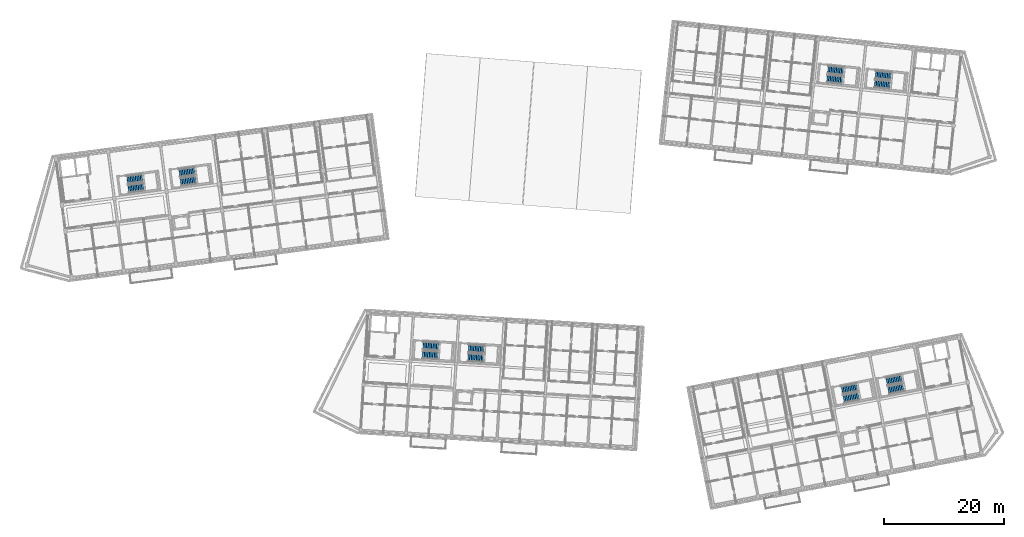
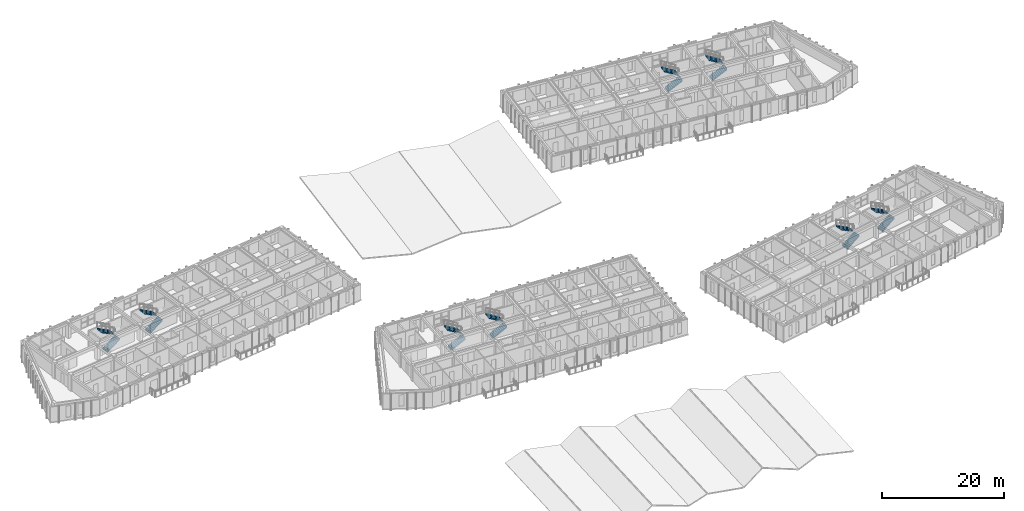
# One storey, part 37 of 74: 16 stair flights, 8 elements without a shape of their own.
"""IFC4 building model written with IfcOpenShell, lengths in metres."""

import ifcopenshell
import ifcopenshell.guid

model = None  # the IFC model being written
_history = None  # IfcOwnerHistory: only IFC2X3 demands one
_inside = {}  # id of a spatial element -> (the spatial element, [elements in it])
_under = {}  # id of a project, library or spatial element -> (it, [spatial elements below it])
_declared = {}  # id of a project -> (the project, [libraries it declares])
_typed = {}  # id of a type object -> (the type object, [elements of that type])
_made_of = {}  # id of a material, layer set ... -> (it, [elements and type objects made of it])


def new_model(schema):
    """Start an empty IFC model of exactly this schema.

    Asked for "IFC4X3", IfcOpenShell would pick the latest addendum, in which some entities
    have other attributes; the version numbers below select the first issue.
    IFC2X3 requires an IfcOwnerHistory on every rooted entity: one is made here for all.
    """
    global model, _history
    if schema == "IFC4X3":
        model = ifcopenshell.file(schema_version=(4, 3, 0, 0))
    else:
        model = ifcopenshell.file(schema=schema)
    _inside.clear()
    _under.clear()
    _declared.clear()
    _typed.clear()
    _made_of.clear()
    _history = None
    if model.schema == "IFC2X3":
        org = make("IfcOrganization", Name="unknown")
        user = make(
            "IfcPersonAndOrganization",
            ThePerson=make("IfcPerson", FamilyName="unknown"),
            TheOrganization=org,
        )
        app = make(
            "IfcApplication",
            ApplicationDeveloper=org,
            Version="unknown",
            ApplicationFullName="unknown",
            ApplicationIdentifier="unknown",
        )
        _history = make(
            "IfcOwnerHistory",
            OwningUser=user,
            OwningApplication=app,
            ChangeAction="ADDED",
            CreationDate=0,
        )
    return model


def make(cls, **values):
    """One entity of the class cls with the attributes given. An attribute that is None is left unset."""
    return model.create_entity(
        cls, **{name: value for name, value in values.items() if value is not None}
    )


def rooted(cls, **values):
    """An entity with a GlobalId (a new one), such as an element, a storey or a relation."""
    return make(cls, GlobalId=ifcopenshell.guid.new(), OwnerHistory=_history, **values)


def si_unit(unit_type, name, prefix=None):
    """IfcSIUnit, for example si_unit("LENGTHUNIT", "METRE", prefix="MILLI")."""
    return make("IfcSIUnit", UnitType=unit_type, Prefix=prefix, Name=name)


def assignment(units):
    """IfcUnitAssignment: the units of a project."""
    return None if units is None else make("IfcUnitAssignment", Units=units)


def point(xyz):
    """IfcCartesianPoint."""
    return None if xyz is None else make("IfcCartesianPoint", Coordinates=xyz)


def direction(xyz):
    """IfcDirection."""
    return None if xyz is None else make("IfcDirection", DirectionRatios=xyz)


def frame(location, z_axis=None, x_axis=None):
    """IfcAxis2Placement3D, a coordinate frame: its origin and axes. An axis left out is left unset."""
    return make(
        "IfcAxis2Placement3D",
        Location=point(location),
        Axis=direction(z_axis),
        RefDirection=direction(x_axis),
    )


def origin():
    """The frame at (0, 0, 0) with its axes left unset."""
    return frame((0.0, 0.0, 0.0))


def place(relative_to, where):
    """IfcLocalPlacement: puts the frame where relative to a parent placement (None: the world)."""
    return make(
        "IfcLocalPlacement", PlacementRelTo=relative_to, RelativePlacement=where
    )


def context(
    kind, dimensions, precision=None, world=None, true_north=None, identifier=None
):
    """IfcGeometricRepresentationContext, for example the 3D "Model" context."""
    return make(
        "IfcGeometricRepresentationContext",
        ContextIdentifier=identifier,
        ContextType=kind,
        CoordinateSpaceDimension=dimensions,
        Precision=precision,
        WorldCoordinateSystem=world,
        TrueNorth=true_north,
    )


def subcontext(parent, identifier, kind, view, scale=None):
    """IfcGeometricRepresentationSubContext, for example "Body" below "Model"."""
    return make(
        "IfcGeometricRepresentationSubContext",
        ContextIdentifier=identifier,
        ContextType=kind,
        ParentContext=parent,
        TargetScale=scale,
        TargetView=view,
    )


def project(units=None, contexts=None):
    """IfcProject with its units and contexts."""
    return rooted(
        "IfcProject",
        Name="project",
        RepresentationContexts=contexts,
        UnitsInContext=assignment(units),
    )


def spatial(cls, under=None, at=None, **own):
    """A site, building, storey or space (cls), placed at a placement, below another one or the project."""
    s = rooted(cls, ObjectPlacement=at, **own)
    if under is not None:
        _under.setdefault(under.id(), (under, []))[1].append(s)
    return s


def polyline(points):
    """IfcPolyline through the points."""
    return make("IfcPolyline", Points=[point(p) for p in points])


def outline(outer, holes=None, kind="AREA"):
    """IfcArbitraryClosedProfileDef: a profile drawn as a closed curve; with holes, ...WithVoids."""
    if holes is None:
        return make("IfcArbitraryClosedProfileDef", ProfileType=kind, OuterCurve=outer)
    return make(
        "IfcArbitraryProfileDefWithVoids",
        ProfileType=kind,
        OuterCurve=outer,
        InnerCurves=holes,
    )


def extrude(swept, where, along, depth):
    """IfcExtrudedAreaSolid: the profile swept, set in the frame where, extruded along a direction by depth."""
    return make(
        "IfcExtrudedAreaSolid",
        SweptArea=swept,
        Position=where,
        ExtrudedDirection=direction(along),
        Depth=depth,
    )


def shape(context_of_items, identifier, shape_type, items):
    """IfcShapeRepresentation: the items that make up one representation, for example the "Body"."""
    return make(
        "IfcShapeRepresentation",
        ContextOfItems=context_of_items,
        RepresentationIdentifier=identifier,
        RepresentationType=shape_type,
        Items=items,
    )


def material(Name=None, Category=None):
    """IfcMaterial."""
    return make("IfcMaterial", Name=Name, Category=Category)


def made_of(thing, what):
    """Note that an element or type object is made of a material, layer set ...; save() writes the relation."""
    if what is not None:
        _made_of.setdefault(what.id(), (what, []))[1].append(thing)
    return thing


def type_object(cls, material=None, **own):
    """A type object (cls), such as IfcWallType, which elements share."""
    return made_of(rooted(cls, **own), material)


def element(
    cls,
    number,
    at=None,
    inside=None,
    cuts=None,
    type_object=None,
    material=None,
    context=None,
    identifier="Body",
    shape_type=None,
    held_by="IfcProductDefinitionShape",
    body=None,
    shapes=None,
    **own,
):
    """One element of the class cls, such as IfcWall. Its Tag is "e" and its number.

    at: its placement. inside: the storey or other place that contains it. cuts: it is an
    opening in that element (IfcRelVoidsElement). A single representation is given by context,
    identifier, shape_type and body (its items); several are given by shapes. held_by: the class
    of the entity that holds the representations. save() writes the other relations.
    """
    e = rooted(cls, Tag="e%d" % number, ObjectPlacement=at, **own)
    if body is not None:
        shapes = [shape(context, identifier, shape_type, body)]
    if shapes is not None:
        e.Representation = make(held_by, Representations=shapes)
    if inside is not None:
        _inside.setdefault(inside.id(), (inside, []))[1].append(e)
    if cuts is not None:
        rooted(
            "IfcRelVoidsElement", RelatingBuildingElement=cuts, RelatedOpeningElement=e
        )
    if type_object is not None:
        _typed.setdefault(type_object.id(), (type_object, []))[1].append(e)
    return made_of(e, material)


def aggregate(whole, parts):
    """IfcRelAggregates: a whole, such as a stair, and the parts it consists of."""
    return rooted("IfcRelAggregates", RelatingObject=whole, RelatedObjects=parts)


def save(model, path):
    """Write the relations noted so far, then the file.

    IfcRelAggregates (storeys below a building ...), IfcRelContainedInSpatialStructure (elements
    in a storey), IfcRelDefinesByType, IfcRelAssociatesMaterial and IfcRelDeclares: one each for
    every whole, place, type object, material and project.
    """
    for whole, parts in _under.values():
        aggregate(whole, parts)
    for where, things in _inside.values():
        rooted(
            "IfcRelContainedInSpatialStructure",
            RelatedElements=things,
            RelatingStructure=where,
        )
    for kind, things in _typed.values():
        rooted("IfcRelDefinesByType", RelatedObjects=things, RelatingType=kind)
    for what, things in _made_of.values():
        rooted("IfcRelAssociatesMaterial", RelatedObjects=things, RelatingMaterial=what)
    for by, libraries in _declared.values():
        rooted("IfcRelDeclares", RelatingContext=by, RelatedDefinitions=libraries)
    model.write(path)


model = new_model("IFC4")

# Units and contexts
model_context = context("Model", 3, precision=1e-05, world=origin(), true_north=direction((0.0, 1.0)))
body_context = subcontext(model_context, "Body", "Model", "MODEL_VIEW")
ifc_project = project(units=[si_unit("LENGTHUNIT", "METRE"), si_unit("AREAUNIT", "SQUARE_METRE"), si_unit("VOLUMEUNIT", "CUBIC_METRE"), si_unit("PLANEANGLEUNIT", "RADIAN"), si_unit("MASSUNIT", "GRAM", prefix="KILO")], contexts=[model_context])

# Site, building, storey
site_placement = place(None, origin())
site = spatial("IfcSite", under=ifc_project, at=site_placement, CompositionType="ELEMENT")
building_placement = place(site_placement, origin())
building = spatial("IfcBuilding", under=site, at=building_placement, Name="Kestramere Prow Commons", CompositionType="ELEMENT")
storey_placement = place(building_placement, frame((0.0, 0.0, 11.64990234375)))
storey = spatial("IfcBuildingStorey", under=building, at=storey_placement, Name="L03", CompositionType="ELEMENT", Elevation=11.64990234375)

# Stair, stair flights
ifc_material = material(Name="Concrete C40/50", Category="concrete")
stair_type = type_object("IfcStairType", Name="ST-DOG-1350", PredefinedType="HALF_TURN_STAIR", material=ifc_material)
stair_1_placement = place(storey_placement, origin())
stair_1 = element("IfcStair", 1, at=stair_1_placement, inside=storey, type_object=stair_type, Name="L03 Block A Exit Stair 1", PredefinedType="HALF_TURN_STAIR")
stair_flight_type = type_object("IfcStairFlightType", Name="SFL-1350", PredefinedType="STRAIGHT", material=ifc_material)
stair_flight_1_placement = place(storey_placement, frame((20.70068359375, 86.79150390625, 0.0), z_axis=(0.0, 0.0, 1.0), x_axis=(0.991444861374, 0.13052619222, 0.0)))
stair_flight_1 = element("IfcStairFlight", 2, at=stair_flight_1_placement, type_object=stair_flight_type, Name="ST-A1 flight 1", NumberOfRisers=10, NumberOfTreads=9, PredefinedType="STRAIGHT", RiserHeight=0.1625, TreadLength=0.28, context=body_context, shape_type="SweptSolid", body=[
    extrude(outline(polyline([(-0.02490234375, 0.0), (0.0, 0.0), (0.0, 0.16259765625), (0.280029296875, 0.16259765625), (0.280029296875, 0.324951171875), (0.56005859375, 0.324951171875), (0.56005859375, 0.487548828125), (0.840087890625, 0.487548828125), (0.840087890625, 0.64990234375), (1.1201171875, 0.64990234375), (1.1201171875, 0.8125), (1.39990234375, 0.8125), (1.39990234375, 0.97509765625), (1.679931640625, 0.97509765625), (1.679931640625, 1.137451171875), (1.9599609375, 1.137451171875), (1.9599609375, 1.300048828125), (2.239990234375, 1.300048828125), (2.239990234375, 1.46240234375), (2.52001953125, 1.46240234375), (2.52001953125, 1.625), (2.544921875, 1.625), (2.544921875, 1.2890625), (0.0, -0.14990234375), (-0.02490234375, -0.14990234375), (-0.02490234375, 0.0)])), frame((0.0, 0.675048828125, 0.0), z_axis=(0.0, -1.0, 0.0), x_axis=(1.0, 0.0, 0.0)), (0.0, 0.0, 1.0), 1.35009765625),
])
stair_flight_2_placement = place(storey_placement, frame((23.003173828125, 88.607666015625, 1.625), z_axis=(0.0, 0.0, 1.0), x_axis=(-0.991444861374, -0.13052619222, 0.0)))
stair_flight_2 = element("IfcStairFlight", 3, at=stair_flight_2_placement, type_object=stair_flight_type, Name="ST-A1 flight 2", NumberOfRisers=10, NumberOfTreads=9, PredefinedType="STRAIGHT", RiserHeight=0.1625, TreadLength=0.28, context=body_context, shape_type="SweptSolid", body=[
    extrude(outline(polyline([(-0.02490234375, 0.0), (0.0, 0.0), (0.0, 0.16259765625), (0.280029296875, 0.16259765625), (0.280029296875, 0.324951171875), (0.56005859375, 0.324951171875), (0.56005859375, 0.487548828125), (0.840087890625, 0.487548828125), (0.840087890625, 0.64990234375), (1.1201171875, 0.64990234375), (1.1201171875, 0.8125), (1.39990234375, 0.8125), (1.39990234375, 0.97509765625), (1.679931640625, 0.97509765625), (1.679931640625, 1.137451171875), (1.9599609375, 1.137451171875), (1.9599609375, 1.300048828125), (2.239990234375, 1.300048828125), (2.239990234375, 1.46240234375), (2.52001953125, 1.46240234375), (2.52001953125, 1.625), (2.544921875, 1.625), (2.544921875, 1.2890625), (0.0, -0.14990234375), (-0.02490234375, -0.14990234375), (-0.02490234375, 0.0)])), frame((0.0, 0.675048828125, 0.0), z_axis=(0.0, -1.0, 0.0), x_axis=(1.0, 0.0, 0.0)), (0.0, 0.0, 1.0), 1.35009765625),
])
aggregate(stair_1, [stair_flight_1, stair_flight_2])

stair_2_placement = place(storey_placement, origin())
stair_2 = element("IfcStair", 4, at=stair_2_placement, inside=storey, type_object=stair_type, Name="L03 Block A Exit Stair 2", PredefinedType="HALF_TURN_STAIR")
stair_flight_3_placement = place(storey_placement, frame((29.42529296875, 87.940185546875, 0.0), z_axis=(0.0, 0.0, 1.0), x_axis=(0.991444861374, 0.13052619222, 0.0)))
stair_flight_3 = element("IfcStairFlight", 5, at=stair_flight_3_placement, type_object=stair_flight_type, Name="ST-A2 flight 1", NumberOfRisers=10, NumberOfTreads=9, PredefinedType="STRAIGHT", RiserHeight=0.1625, TreadLength=0.28, context=body_context, shape_type="SweptSolid", body=[
    extrude(outline(polyline([(-0.02490234375, 0.0), (0.0, 0.0), (0.0, 0.16259765625), (0.280029296875, 0.16259765625), (0.280029296875, 0.324951171875), (0.56005859375, 0.324951171875), (0.56005859375, 0.487548828125), (0.840087890625, 0.487548828125), (0.840087890625, 0.64990234375), (1.1201171875, 0.64990234375), (1.1201171875, 0.8125), (1.39990234375, 0.8125), (1.39990234375, 0.97509765625), (1.679931640625, 0.97509765625), (1.679931640625, 1.137451171875), (1.9599609375, 1.137451171875), (1.9599609375, 1.300048828125), (2.239990234375, 1.300048828125), (2.239990234375, 1.46240234375), (2.52001953125, 1.46240234375), (2.52001953125, 1.625), (2.544921875, 1.625), (2.544921875, 1.2890625), (0.0, -0.14990234375), (-0.02490234375, -0.14990234375), (-0.02490234375, 0.0)])), frame((0.0, 0.675048828125, 0.0), z_axis=(0.0, -1.0, 0.0), x_axis=(1.0, 0.0, 0.0)), (0.0, 0.0, 1.0), 1.35009765625),
])
stair_flight_4_placement = place(storey_placement, frame((31.72802734375, 89.75634765625, 1.625), z_axis=(0.0, 0.0, 1.0), x_axis=(-0.991444861374, -0.13052619222, 0.0)))
stair_flight_4 = element("IfcStairFlight", 6, at=stair_flight_4_placement, type_object=stair_flight_type, Name="ST-A2 flight 2", NumberOfRisers=10, NumberOfTreads=9, PredefinedType="STRAIGHT", RiserHeight=0.1625, TreadLength=0.28, context=body_context, shape_type="SweptSolid", body=[
    extrude(outline(polyline([(-0.02490234375, 0.0), (0.0, 0.0), (0.0, 0.16259765625), (0.280029296875, 0.16259765625), (0.280029296875, 0.324951171875), (0.56005859375, 0.324951171875), (0.56005859375, 0.487548828125), (0.840087890625, 0.487548828125), (0.840087890625, 0.64990234375), (1.1201171875, 0.64990234375), (1.1201171875, 0.8125), (1.39990234375, 0.8125), (1.39990234375, 0.97509765625), (1.679931640625, 0.97509765625), (1.679931640625, 1.137451171875), (1.9599609375, 1.137451171875), (1.9599609375, 1.300048828125), (2.239990234375, 1.300048828125), (2.239990234375, 1.46240234375), (2.52001953125, 1.46240234375), (2.52001953125, 1.625), (2.544921875, 1.625), (2.544921875, 1.2890625), (0.0, -0.14990234375), (-0.02490234375, -0.14990234375), (-0.02490234375, 0.0)])), frame((0.0, 0.675048828125, 0.0), z_axis=(0.0, -1.0, 0.0), x_axis=(1.0, 0.0, 0.0)), (0.0, 0.0, 1.0), 1.35009765625),
])
aggregate(stair_2, [stair_flight_3, stair_flight_4])

stair_3_placement = place(storey_placement, origin())
stair_3 = element("IfcStair", 7, at=stair_3_placement, inside=storey, type_object=stair_type, Name="L03 Block B Exit Stair 1", PredefinedType="HALF_TURN_STAIR")
stair_flight_5_placement = place(storey_placement, frame((137.38916015625, 105.21923828125, 0.0), z_axis=(0.0, 0.0, 1.0), x_axis=(0.994521895368, -0.104528463268, 0.0)))
stair_flight_5 = element("IfcStairFlight", 8, at=stair_flight_5_placement, type_object=stair_flight_type, Name="ST-B1 flight 1", NumberOfRisers=10, NumberOfTreads=9, PredefinedType="STRAIGHT", RiserHeight=0.1625, TreadLength=0.28, context=body_context, shape_type="SweptSolid", body=[
    extrude(outline(polyline([(-0.02490234375, 0.0), (0.0, 0.0), (0.0, 0.16259765625), (0.280029296875, 0.16259765625), (0.280029296875, 0.324951171875), (0.56005859375, 0.324951171875), (0.56005859375, 0.487548828125), (0.840087890625, 0.487548828125), (0.840087890625, 0.64990234375), (1.1201171875, 0.64990234375), (1.1201171875, 0.8125), (1.39990234375, 0.8125), (1.39990234375, 0.97509765625), (1.679931640625, 0.97509765625), (1.679931640625, 1.137451171875), (1.9599609375, 1.137451171875), (1.9599609375, 1.300048828125), (2.239990234375, 1.300048828125), (2.239990234375, 1.46240234375), (2.52001953125, 1.46240234375), (2.52001953125, 1.625), (2.544921875, 1.625), (2.544921875, 1.2890625), (0.0, -0.14990234375), (-0.02490234375, -0.14990234375), (-0.02490234375, 0.0)])), frame((0.0, 0.675048828125, 0.0), z_axis=(0.0, -1.0, 0.0), x_axis=(1.0, 0.0, 0.0)), (0.0, 0.0, 1.0), 1.35009765625),
])
stair_flight_6_placement = place(storey_placement, frame((140.052001953125, 106.447509765625, 1.625), z_axis=(0.0, 0.0, 1.0), x_axis=(-0.994521895368, 0.104528463268, 0.0)))
stair_flight_6 = element("IfcStairFlight", 9, at=stair_flight_6_placement, type_object=stair_flight_type, Name="ST-B1 flight 2", NumberOfRisers=10, NumberOfTreads=9, PredefinedType="STRAIGHT", RiserHeight=0.1625, TreadLength=0.28, context=body_context, shape_type="SweptSolid", body=[
    extrude(outline(polyline([(-0.02490234375, 0.0), (0.0, 0.0), (0.0, 0.16259765625), (0.280029296875, 0.16259765625), (0.280029296875, 0.324951171875), (0.56005859375, 0.324951171875), (0.56005859375, 0.487548828125), (0.840087890625, 0.487548828125), (0.840087890625, 0.64990234375), (1.1201171875, 0.64990234375), (1.1201171875, 0.8125), (1.39990234375, 0.8125), (1.39990234375, 0.97509765625), (1.679931640625, 0.97509765625), (1.679931640625, 1.137451171875), (1.9599609375, 1.137451171875), (1.9599609375, 1.300048828125), (2.239990234375, 1.300048828125), (2.239990234375, 1.46240234375), (2.52001953125, 1.46240234375), (2.52001953125, 1.625), (2.544921875, 1.625), (2.544921875, 1.2890625), (0.0, -0.14990234375), (-0.02490234375, -0.14990234375), (-0.02490234375, 0.0)])), frame((0.0, 0.675048828125, 0.0), z_axis=(0.0, -1.0, 0.0), x_axis=(1.0, 0.0, 0.0)), (0.0, 0.0, 1.0), 1.35009765625),
])
aggregate(stair_3, [stair_flight_5, stair_flight_6])

stair_4_placement = place(storey_placement, origin())
stair_4 = element("IfcStair", 10, at=stair_4_placement, inside=storey, type_object=stair_type, Name="L03 Block B Exit Stair 2", PredefinedType="HALF_TURN_STAIR")
stair_flight_7_placement = place(storey_placement, frame((145.34521484375, 104.3828125, 0.0), z_axis=(0.0, 0.0, 1.0), x_axis=(0.994521895368, -0.104528463268, 0.0)))
stair_flight_7 = element("IfcStairFlight", 11, at=stair_flight_7_placement, type_object=stair_flight_type, Name="ST-B2 flight 1", NumberOfRisers=10, NumberOfTreads=9, PredefinedType="STRAIGHT", RiserHeight=0.1625, TreadLength=0.28, context=body_context, shape_type="SweptSolid", body=[
    extrude(outline(polyline([(-0.02490234375, 0.0), (0.0, 0.0), (0.0, 0.16259765625), (0.280029296875, 0.16259765625), (0.280029296875, 0.324951171875), (0.56005859375, 0.324951171875), (0.56005859375, 0.487548828125), (0.840087890625, 0.487548828125), (0.840087890625, 0.64990234375), (1.1201171875, 0.64990234375), (1.1201171875, 0.8125), (1.39990234375, 0.8125), (1.39990234375, 0.97509765625), (1.679931640625, 0.97509765625), (1.679931640625, 1.137451171875), (1.9599609375, 1.137451171875), (1.9599609375, 1.300048828125), (2.239990234375, 1.300048828125), (2.239990234375, 1.46240234375), (2.52001953125, 1.46240234375), (2.52001953125, 1.625), (2.544921875, 1.625), (2.544921875, 1.2890625), (0.0, -0.14990234375), (-0.02490234375, -0.14990234375), (-0.02490234375, 0.0)])), frame((0.0, 0.675048828125, 0.0), z_axis=(0.0, -1.0, 0.0), x_axis=(1.0, 0.0, 0.0)), (0.0, 0.0, 1.0), 1.35009765625),
])
stair_flight_8_placement = place(storey_placement, frame((148.00830078125, 105.611328125, 1.625), z_axis=(0.0, 0.0, 1.0), x_axis=(-0.994521895368, 0.104528463268, 0.0)))
stair_flight_8 = element("IfcStairFlight", 12, at=stair_flight_8_placement, type_object=stair_flight_type, Name="ST-B2 flight 2", NumberOfRisers=10, NumberOfTreads=9, PredefinedType="STRAIGHT", RiserHeight=0.1625, TreadLength=0.28, context=body_context, shape_type="SweptSolid", body=[
    extrude(outline(polyline([(-0.02490234375, 0.0), (0.0, 0.0), (0.0, 0.16259765625), (0.280029296875, 0.16259765625), (0.280029296875, 0.324951171875), (0.56005859375, 0.324951171875), (0.56005859375, 0.487548828125), (0.840087890625, 0.487548828125), (0.840087890625, 0.64990234375), (1.1201171875, 0.64990234375), (1.1201171875, 0.8125), (1.39990234375, 0.8125), (1.39990234375, 0.97509765625), (1.679931640625, 0.97509765625), (1.679931640625, 1.137451171875), (1.9599609375, 1.137451171875), (1.9599609375, 1.300048828125), (2.239990234375, 1.300048828125), (2.239990234375, 1.46240234375), (2.52001953125, 1.46240234375), (2.52001953125, 1.625), (2.544921875, 1.625), (2.544921875, 1.2890625), (0.0, -0.14990234375), (-0.02490234375, -0.14990234375), (-0.02490234375, 0.0)])), frame((0.0, 0.675048828125, 0.0), z_axis=(0.0, -1.0, 0.0), x_axis=(1.0, 0.0, 0.0)), (0.0, 0.0, 1.0), 1.35009765625),
])
aggregate(stair_4, [stair_flight_7, stair_flight_8])

stair_5_placement = place(storey_placement, origin())
stair_5 = element("IfcStair", 13, at=stair_5_placement, inside=storey, type_object=stair_type, Name="L03 Block C Exit Stair 1", PredefinedType="HALF_TURN_STAIR")
stair_flight_9_placement = place(storey_placement, frame((69.839599609375, 59.117431640625, 0.0), z_axis=(0.0, 0.0, 1.0), x_axis=(0.998134798422, -0.061048539535, 0.0)))
stair_flight_9 = element("IfcStairFlight", 14, at=stair_flight_9_placement, type_object=stair_flight_type, Name="ST-C1 flight 1", NumberOfRisers=10, NumberOfTreads=9, PredefinedType="STRAIGHT", RiserHeight=0.1625, TreadLength=0.28, context=body_context, shape_type="SweptSolid", body=[
    extrude(outline(polyline([(-0.02490234375, 0.0), (0.0, 0.0), (0.0, 0.16259765625), (0.280029296875, 0.16259765625), (0.280029296875, 0.324951171875), (0.56005859375, 0.324951171875), (0.56005859375, 0.487548828125), (0.840087890625, 0.487548828125), (0.840087890625, 0.64990234375), (1.1201171875, 0.64990234375), (1.1201171875, 0.8125), (1.39990234375, 0.8125), (1.39990234375, 0.97509765625), (1.679931640625, 0.97509765625), (1.679931640625, 1.137451171875), (1.9599609375, 1.137451171875), (1.9599609375, 1.300048828125), (2.239990234375, 1.300048828125), (2.239990234375, 1.46240234375), (2.52001953125, 1.46240234375), (2.52001953125, 1.625), (2.544921875, 1.625), (2.544921875, 1.2890625), (0.0, -0.14990234375), (-0.02490234375, -0.14990234375), (-0.02490234375, 0.0)])), frame((0.0, 0.675048828125, 0.0), z_axis=(0.0, -1.0, 0.0), x_axis=(1.0, 0.0, 0.0)), (0.0, 0.0, 1.0), 1.35009765625),
])
stair_flight_10_placement = place(storey_placement, frame((72.446533203125, 60.460693359375, 1.625), z_axis=(0.0, 0.0, 1.0), x_axis=(-0.998134798422, 0.061048539535, 0.0)))
stair_flight_10 = element("IfcStairFlight", 15, at=stair_flight_10_placement, type_object=stair_flight_type, Name="ST-C1 flight 2", NumberOfRisers=10, NumberOfTreads=9, PredefinedType="STRAIGHT", RiserHeight=0.1625, TreadLength=0.28, context=body_context, shape_type="SweptSolid", body=[
    extrude(outline(polyline([(-0.02490234375, 0.0), (0.0, 0.0), (0.0, 0.16259765625), (0.280029296875, 0.16259765625), (0.280029296875, 0.324951171875), (0.56005859375, 0.324951171875), (0.56005859375, 0.487548828125), (0.840087890625, 0.487548828125), (0.840087890625, 0.64990234375), (1.1201171875, 0.64990234375), (1.1201171875, 0.8125), (1.39990234375, 0.8125), (1.39990234375, 0.97509765625), (1.679931640625, 0.97509765625), (1.679931640625, 1.137451171875), (1.9599609375, 1.137451171875), (1.9599609375, 1.300048828125), (2.239990234375, 1.300048828125), (2.239990234375, 1.46240234375), (2.52001953125, 1.46240234375), (2.52001953125, 1.625), (2.544921875, 1.625), (2.544921875, 1.2890625), (0.0, -0.14990234375), (-0.02490234375, -0.14990234375), (-0.02490234375, 0.0)])), frame((0.0, 0.675048828125, 0.0), z_axis=(0.0, -1.0, 0.0), x_axis=(1.0, 0.0, 0.0)), (0.0, 0.0, 1.0), 1.35009765625),
])
aggregate(stair_5, [stair_flight_9, stair_flight_10])

stair_6_placement = place(storey_placement, origin())
stair_6 = element("IfcStair", 16, at=stair_6_placement, inside=storey, type_object=stair_type, Name="L03 Block C Exit Stair 2", PredefinedType="HALF_TURN_STAIR")
stair_flight_11_placement = place(storey_placement, frame((77.42529296875, 58.6533203125, 0.0), z_axis=(0.0, 0.0, 1.0), x_axis=(0.998134798422, -0.061048539535, 0.0)))
stair_flight_11 = element("IfcStairFlight", 17, at=stair_flight_11_placement, type_object=stair_flight_type, Name="ST-C2 flight 1", NumberOfRisers=10, NumberOfTreads=9, PredefinedType="STRAIGHT", RiserHeight=0.1625, TreadLength=0.28, context=body_context, shape_type="SweptSolid", body=[
    extrude(outline(polyline([(-0.02490234375, 0.0), (0.0, 0.0), (0.0, 0.16259765625), (0.280029296875, 0.16259765625), (0.280029296875, 0.324951171875), (0.56005859375, 0.324951171875), (0.56005859375, 0.487548828125), (0.840087890625, 0.487548828125), (0.840087890625, 0.64990234375), (1.1201171875, 0.64990234375), (1.1201171875, 0.8125), (1.39990234375, 0.8125), (1.39990234375, 0.97509765625), (1.679931640625, 0.97509765625), (1.679931640625, 1.137451171875), (1.9599609375, 1.137451171875), (1.9599609375, 1.300048828125), (2.239990234375, 1.300048828125), (2.239990234375, 1.46240234375), (2.52001953125, 1.46240234375), (2.52001953125, 1.625), (2.544921875, 1.625), (2.544921875, 1.2890625), (0.0, -0.14990234375), (-0.02490234375, -0.14990234375), (-0.02490234375, 0.0)])), frame((0.0, 0.675048828125, 0.0), z_axis=(0.0, -1.0, 0.0), x_axis=(1.0, 0.0, 0.0)), (0.0, 0.0, 1.0), 1.35009765625),
])
stair_flight_12_placement = place(storey_placement, frame((80.0322265625, 59.996826171875, 1.625), z_axis=(0.0, 0.0, 1.0), x_axis=(-0.998134798422, 0.061048539535, 0.0)))
stair_flight_12 = element("IfcStairFlight", 18, at=stair_flight_12_placement, type_object=stair_flight_type, Name="ST-C2 flight 2", NumberOfRisers=10, NumberOfTreads=9, PredefinedType="STRAIGHT", RiserHeight=0.1625, TreadLength=0.28, context=body_context, shape_type="SweptSolid", body=[
    extrude(outline(polyline([(-0.02490234375, 0.0), (0.0, 0.0), (0.0, 0.16259765625), (0.280029296875, 0.16259765625), (0.280029296875, 0.324951171875), (0.56005859375, 0.324951171875), (0.56005859375, 0.487548828125), (0.840087890625, 0.487548828125), (0.840087890625, 0.64990234375), (1.1201171875, 0.64990234375), (1.1201171875, 0.8125), (1.39990234375, 0.8125), (1.39990234375, 0.97509765625), (1.679931640625, 0.97509765625), (1.679931640625, 1.137451171875), (1.9599609375, 1.137451171875), (1.9599609375, 1.300048828125), (2.239990234375, 1.300048828125), (2.239990234375, 1.46240234375), (2.52001953125, 1.46240234375), (2.52001953125, 1.625), (2.544921875, 1.625), (2.544921875, 1.2890625), (0.0, -0.14990234375), (-0.02490234375, -0.14990234375), (-0.02490234375, 0.0)])), frame((0.0, 0.675048828125, 0.0), z_axis=(0.0, -1.0, 0.0), x_axis=(1.0, 0.0, 0.0)), (0.0, 0.0, 1.0), 1.35009765625),
])
aggregate(stair_6, [stair_flight_11, stair_flight_12])

stair_7_placement = place(storey_placement, origin())
stair_7 = element("IfcStair", 19, at=stair_7_placement, inside=storey, type_object=stair_type, Name="L03 Block D Exit Stair 1", PredefinedType="HALF_TURN_STAIR")
stair_flight_13_placement = place(storey_placement, frame((140.171875, 51.70458984375, 0.0), z_axis=(0.0, 0.0, 1.0), x_axis=(0.981627183448, 0.190808995377, 0.0)))
stair_flight_13 = element("IfcStairFlight", 20, at=stair_flight_13_placement, type_object=stair_flight_type, Name="ST-D1 flight 1", NumberOfRisers=10, NumberOfTreads=9, PredefinedType="STRAIGHT", RiserHeight=0.1625, TreadLength=0.28, context=body_context, shape_type="SweptSolid", body=[
    extrude(outline(polyline([(-0.02490234375, 0.0), (0.0, 0.0), (0.0, 0.16259765625), (0.280029296875, 0.16259765625), (0.280029296875, 0.324951171875), (0.56005859375, 0.324951171875), (0.56005859375, 0.487548828125), (0.840087890625, 0.487548828125), (0.840087890625, 0.64990234375), (1.1201171875, 0.64990234375), (1.1201171875, 0.8125), (1.39990234375, 0.8125), (1.39990234375, 0.97509765625), (1.679931640625, 0.97509765625), (1.679931640625, 1.137451171875), (1.9599609375, 1.137451171875), (1.9599609375, 1.300048828125), (2.239990234375, 1.300048828125), (2.239990234375, 1.46240234375), (2.52001953125, 1.46240234375), (2.52001953125, 1.625), (2.544921875, 1.625), (2.544921875, 1.2890625), (0.0, -0.14990234375), (-0.02490234375, -0.14990234375), (-0.02490234375, 0.0)])), frame((0.0, 0.675048828125, 0.0), z_axis=(0.0, -1.0, 0.0), x_axis=(1.0, 0.0, 0.0)), (0.0, 0.0, 1.0), 1.35009765625),
])
stair_flight_14_placement = place(storey_placement, frame((142.359375, 53.65771484375, 1.625), z_axis=(0.0, 0.0, 1.0), x_axis=(-0.981627183448, -0.190808995377, 0.0)))
stair_flight_14 = element("IfcStairFlight", 21, at=stair_flight_14_placement, type_object=stair_flight_type, Name="ST-D1 flight 2", NumberOfRisers=10, NumberOfTreads=9, PredefinedType="STRAIGHT", RiserHeight=0.1625, TreadLength=0.28, context=body_context, shape_type="SweptSolid", body=[
    extrude(outline(polyline([(-0.02490234375, 0.0), (0.0, 0.0), (0.0, 0.16259765625), (0.280029296875, 0.16259765625), (0.280029296875, 0.324951171875), (0.56005859375, 0.324951171875), (0.56005859375, 0.487548828125), (0.840087890625, 0.487548828125), (0.840087890625, 0.64990234375), (1.1201171875, 0.64990234375), (1.1201171875, 0.8125), (1.39990234375, 0.8125), (1.39990234375, 0.97509765625), (1.679931640625, 0.97509765625), (1.679931640625, 1.137451171875), (1.9599609375, 1.137451171875), (1.9599609375, 1.300048828125), (2.239990234375, 1.300048828125), (2.239990234375, 1.46240234375), (2.52001953125, 1.46240234375), (2.52001953125, 1.625), (2.544921875, 1.625), (2.544921875, 1.2890625), (0.0, -0.14990234375), (-0.02490234375, -0.14990234375), (-0.02490234375, 0.0)])), frame((0.0, 0.675048828125, 0.0), z_axis=(0.0, -1.0, 0.0), x_axis=(1.0, 0.0, 0.0)), (0.0, 0.0, 1.0), 1.35009765625),
])
aggregate(stair_7, [stair_flight_13, stair_flight_14])

stair_8_placement = place(storey_placement, origin())
stair_8 = element("IfcStair", 22, at=stair_8_placement, inside=storey, type_object=stair_type, Name="L03 Block D Exit Stair 2", PredefinedType="HALF_TURN_STAIR")
stair_flight_15_placement = place(storey_placement, frame((147.632080078125, 53.15478515625, 0.0), z_axis=(0.0, 0.0, 1.0), x_axis=(0.981627183448, 0.190808995377, 0.0)))
stair_flight_15 = element("IfcStairFlight", 23, at=stair_flight_15_placement, type_object=stair_flight_type, Name="ST-D2 flight 1", NumberOfRisers=10, NumberOfTreads=9, PredefinedType="STRAIGHT", RiserHeight=0.1625, TreadLength=0.28, context=body_context, shape_type="SweptSolid", body=[
    extrude(outline(polyline([(-0.02490234375, 0.0), (0.0, 0.0), (0.0, 0.16259765625), (0.280029296875, 0.16259765625), (0.280029296875, 0.324951171875), (0.56005859375, 0.324951171875), (0.56005859375, 0.487548828125), (0.840087890625, 0.487548828125), (0.840087890625, 0.64990234375), (1.1201171875, 0.64990234375), (1.1201171875, 0.8125), (1.39990234375, 0.8125), (1.39990234375, 0.97509765625), (1.679931640625, 0.97509765625), (1.679931640625, 1.137451171875), (1.9599609375, 1.137451171875), (1.9599609375, 1.300048828125), (2.239990234375, 1.300048828125), (2.239990234375, 1.46240234375), (2.52001953125, 1.46240234375), (2.52001953125, 1.625), (2.544921875, 1.625), (2.544921875, 1.2890625), (0.0, -0.14990234375), (-0.02490234375, -0.14990234375), (-0.02490234375, 0.0)])), frame((0.0, 0.675048828125, 0.0), z_axis=(0.0, -1.0, 0.0), x_axis=(1.0, 0.0, 0.0)), (0.0, 0.0, 1.0), 1.35009765625),
])
stair_flight_16_placement = place(storey_placement, frame((149.819580078125, 55.10791015625, 1.625), z_axis=(0.0, 0.0, 1.0), x_axis=(-0.981627183448, -0.190808995377, 0.0)))
stair_flight_16 = element("IfcStairFlight", 24, at=stair_flight_16_placement, type_object=stair_flight_type, Name="ST-D2 flight 2", NumberOfRisers=10, NumberOfTreads=9, PredefinedType="STRAIGHT", RiserHeight=0.1625, TreadLength=0.28, context=body_context, shape_type="SweptSolid", body=[
    extrude(outline(polyline([(-0.02490234375, 0.0), (0.0, 0.0), (0.0, 0.16259765625), (0.280029296875, 0.16259765625), (0.280029296875, 0.324951171875), (0.56005859375, 0.324951171875), (0.56005859375, 0.487548828125), (0.840087890625, 0.487548828125), (0.840087890625, 0.64990234375), (1.1201171875, 0.64990234375), (1.1201171875, 0.8125), (1.39990234375, 0.8125), (1.39990234375, 0.97509765625), (1.679931640625, 0.97509765625), (1.679931640625, 1.137451171875), (1.9599609375, 1.137451171875), (1.9599609375, 1.300048828125), (2.239990234375, 1.300048828125), (2.239990234375, 1.46240234375), (2.52001953125, 1.46240234375), (2.52001953125, 1.625), (2.544921875, 1.625), (2.544921875, 1.2890625), (0.0, -0.14990234375), (-0.02490234375, -0.14990234375), (-0.02490234375, 0.0)])), frame((0.0, 0.675048828125, 0.0), z_axis=(0.0, -1.0, 0.0), x_axis=(1.0, 0.0, 0.0)), (0.0, 0.0, 1.0), 1.35009765625),
])
aggregate(stair_8, [stair_flight_15, stair_flight_16])

save(model, "model.ifc")
